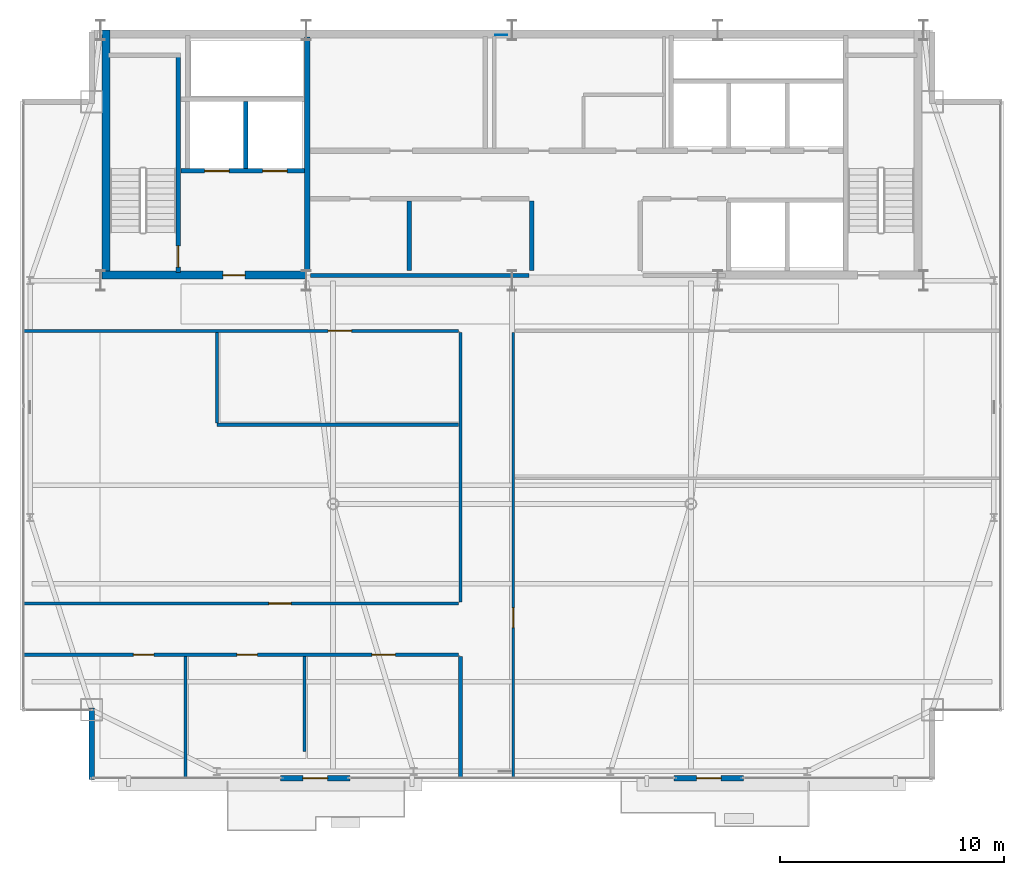
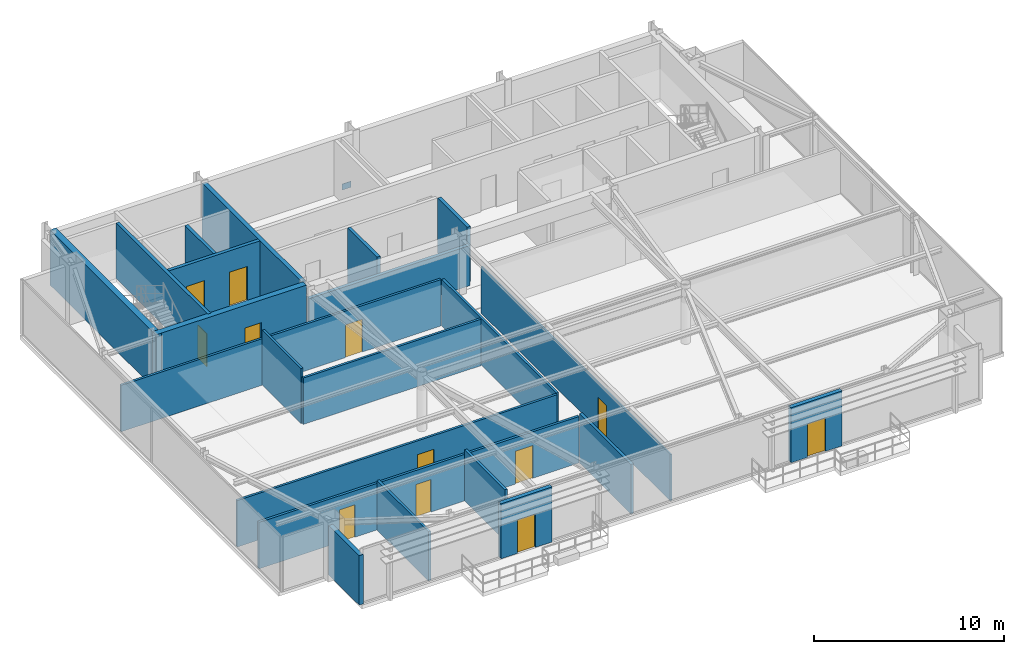
# One storey, part 20 of 24: 22 walls, 12 doors, 1 plate, 12 openings.
"""IFC4 building model written with IfcOpenShell, lengths in metres."""

from ifc_helpers import new_model, si_unit, direction, frame, frame_2d, origin, origin_2d, place, context, subcontext, project, spatial, rectangle, extrude, source, transform, mapped, material, layer, layer_set, type_object, type_shapes, element, fill, save


model = new_model("IFC4")

# Units and contexts
model_context = context("Model", 3, precision=1e-05, world=origin(), true_north=direction((0.0, 1.0)))
body_context = subcontext(model_context, "Body", "Model", "MODEL_VIEW")
ifc_project = project(units=[si_unit("LENGTHUNIT", "METRE"), si_unit("AREAUNIT", "SQUARE_METRE"), si_unit("VOLUMEUNIT", "CUBIC_METRE"), si_unit("PLANEANGLEUNIT", "RADIAN"), si_unit("MASSUNIT", "GRAM", prefix="KILO")], contexts=[model_context])

# Site, building, storey
site_placement = place(None, origin())
site = spatial("IfcSite", under=ifc_project, at=site_placement, CompositionType="ELEMENT")
building_placement = place(site_placement, origin())
building = spatial("IfcBuilding", under=site, at=building_placement, Name="Varnel Quay Broadcast Tower", CompositionType="ELEMENT")
storey_placement = place(building_placement, frame((0.0, 0.0, 281.199951171875)))
storey = spatial("IfcBuildingStorey", under=building, at=storey_placement, Name="L70", CompositionType="ELEMENT", Elevation=281.199951171875)

# Plate
ifc_material_1 = material(Name="Structural Steel CSA G40.21 350WT", Category="steel")
ifc_layer_1 = layer(ifc_material_1, 0.031982421875, Name="Structural Steel CSA G40.21 350WT")
ifc_layer_set_1 = layer_set([ifc_layer_1], Name="Structural Steel CSA G40.21 350WT")
plate_type = type_object("IfcPlateType", Name="Plate_EndCap", PredefinedType="USERDEFINED", material=ifc_layer_set_1)
shared_shape_1 = source(origin(), body_context, "Body", "SweptSolid", [
    extrude(rectangle(XDim=0.5400390625, YDim=0.031982421875, at=origin_2d()), origin(), (0.0, 0.0, 1.0), 0.3798828125),
])
type_shapes(plate_type, [shared_shape_1])
plate_placement = place(storey_placement, frame((33.524169921875, 46.580078125, 0.07080078125), z_axis=(0.0, 0.0, 1.0), x_axis=(1.0, 0.0, 0.0)))
element("IfcPlate", 1, at=plate_placement, inside=storey, type_object=plate_type, Name="Zone 5 Mega-Brace N-CT2 Diag B2 End Connection Plate P0", ObjectType="CAP_PLATE", PredefinedType="USERDEFINED", context=body_context, shape_type="MappedRepresentation", body=[
    mapped(shared_shape_1, transform((0.0, 0.0, 0.0), x_axis=(1.0, 0.0, 0.0), y_axis=(0.0, 1.0, 0.0), z_axis=(0.0, 0.0, 1.0), scale=1.0)),
])

# Wall, opening, door
ifc_material_2 = material(Name="Concrete CSA A23.3 C50/60", Category="concrete")
ifc_layer_2 = layer(ifc_material_2, 0.199951171875, Name="Concrete CSA A23.3 C50/60")
ifc_layer_set_2 = layer_set([ifc_layer_2], Name="Concrete CSA A23.3 C50/60")
wall_type_1 = type_object("IfcWallType", Name="Wall_CoreShaftShear200", PredefinedType="SHEAR", material=ifc_layer_set_2)
wall_1_placement = place(storey_placement, frame((19.080078125, 35.949951171875, 0.0), z_axis=(0.0, 0.0, 1.0), x_axis=(0.0, 1.0, 0.0)))
wall_1 = element("IfcWall", 2, at=wall_1_placement, inside=storey, type_object=wall_type_1, Name="L70 Stair 1 East Structural Wall", PredefinedType="SHEAR", context=body_context, shape_type="SweptSolid", body=[
    extrude(rectangle(XDim=9.650146484375, YDim=0.199951171875, at=frame_2d((4.8251953125, 0.0))), origin(), (0.0, 0.0, 1.0), 3.550048828125),
])
opening_1_placement = place(wall_1_placement, frame((0.25, 0.0, 0.0)))
opening_1 = element("IfcOpeningElement", 3, at=opening_1_placement, cuts=wall_1, Name="Opening D-L70-S1", PredefinedType="OPENING", context=body_context, shape_type="SweptSolid", body=[
    extrude(rectangle(XDim=0.949951171875, YDim=2.10009765625, at=frame_2d((0.47509765625, 1.050048828125))), frame((0.0, 0.10986328125, 0.0), z_axis=(0.0, -1.0, 0.0), x_axis=(1.0, 0.0, 0.0)), (0.0, 0.0, 1.0), 0.219970703125),
])
ifc_material_3 = material(Name="Insulated Fire-Rated Hollow Steel Door", Category="steel")
door_type_1 = type_object("IfcDoorType", Name="Door_FireStair950", OperationType="NOTDEFINED", PredefinedType="DOOR", material=ifc_material_3)
shared_shape_2 = source(origin(), body_context, "Body", "SweptSolid", [
    extrude(rectangle(XDim=0.949951171875, YDim=2.10009765625, at=frame_2d((0.47509765625, 1.050048828125))), frame((0.0, 0.02490234375, 0.0), z_axis=(0.0, -1.0, 0.0), x_axis=(1.0, 0.0, 0.0)), (0.0, 0.0, 1.0), 0.050048828125),
])
type_shapes(door_type_1, [shared_shape_2])
door_1_placement = place(opening_1_placement, origin())
door_1 = element("IfcDoor", 4, at=door_1_placement, inside=storey, type_object=door_type_1, Name="L70 Stair 1 Fire Door", OperationType="SINGLE_SWING_RIGHT", OverallHeight=2.10009765625, OverallWidth=0.949951171875, PredefinedType="DOOR", context=body_context, shape_type="MappedRepresentation", body=[
    mapped(shared_shape_2, transform((0.0, 0.0, 0.0), x_axis=(1.0, 0.0, 0.0), y_axis=(0.0, 1.0, 0.0), z_axis=(0.0, 0.0, 1.0), scale=1.0)),
])
fill(opening_1, door_1)

# Wall, openings, doors
wall_2_placement = place(storey_placement, frame((19.199951171875, 40.5, 0.0), z_axis=(0.0, 0.0, 1.0), x_axis=(1.0, 0.0, 0.0)))
wall_2 = element("IfcWall", 5, at=wall_2_placement, inside=storey, type_object=wall_type_1, Name="L70 Firefighter Lift Shaft Front Wall", PredefinedType="SHEAR", context=body_context, shape_type="SweptSolid", body=[
    extrude(rectangle(XDim=5.52001953125, YDim=0.199951171875, at=frame_2d((2.760009765625, 0.0))), origin(), (0.0, 0.0, 1.0), 3.550048828125),
])
opening_2_placement = place(wall_2_placement, frame((1.050048828125, 0.0, 0.0)))
opening_2 = element("IfcOpeningElement", 6, at=opening_2_placement, cuts=wall_2, Name="Opening LD-L70-FE1", PredefinedType="OPENING", context=body_context, shape_type="SweptSolid", body=[
    extrude(rectangle(XDim=1.10009765625, YDim=2.179931640625, at=frame_2d((0.550048828125, 1.08984375))), frame((0.0, 0.10986328125, 0.0), z_axis=(0.0, -1.0, 0.0), x_axis=(1.0, 0.0, 0.0)), (0.0, 0.0, 1.0), 0.219970703125),
])
opening_3_placement = place(wall_2_placement, frame((3.64990234375, 0.0, 0.0)))
opening_3 = element("IfcOpeningElement", 7, at=opening_3_placement, cuts=wall_2, Name="Opening LD-L70-FE2", PredefinedType="OPENING", context=body_context, shape_type="SweptSolid", body=[
    extrude(rectangle(XDim=1.10009765625, YDim=2.179931640625, at=frame_2d((0.550048828125, 1.08984375))), frame((0.0, 0.10986328125, 0.0), z_axis=(0.0, -1.0, 0.0), x_axis=(1.0, 0.0, 0.0)), (0.0, 0.0, 1.0), 0.219970703125),
])
ifc_material_4 = material(Name="Brushed Bronze-Stainless Lift Car & Sliding Doors", Category="steel")
door_type_2 = type_object("IfcDoorType", Name="Door_LiftLanding1100", OperationType="SLIDING_TO_LEFT", PredefinedType="DOOR", material=ifc_material_4)
shared_shape_3 = source(origin(), body_context, "Body", "SweptSolid", [
    extrude(rectangle(XDim=1.10009765625, YDim=2.179931640625, at=frame_2d((0.550048828125, 1.08984375))), frame((0.0, 0.02490234375, 0.0), z_axis=(0.0, -1.0, 0.0), x_axis=(1.0, 0.0, 0.0)), (0.0, 0.0, 1.0), 0.050048828125),
])
type_shapes(door_type_2, [shared_shape_3])
door_2_placement = place(opening_2_placement, frame((1.10009765625, 0.0, 0.0), z_axis=(0.0, 0.0, 1.0), x_axis=(-1.0, 0.0, 0.0)))
door_2 = element("IfcDoor", 8, at=door_2_placement, inside=storey, type_object=door_type_2, Name="L70 Firefighter Lift FE-01 Landing Door", OperationType="SLIDING_TO_LEFT", OverallHeight=2.179931640625, OverallWidth=1.10009765625, PredefinedType="DOOR", context=body_context, shape_type="MappedRepresentation", body=[
    mapped(shared_shape_3, transform((0.0, 0.0, 0.0), x_axis=(1.0, 0.0, 0.0), y_axis=(0.0, 1.0, 0.0), z_axis=(0.0, 0.0, 1.0), scale=1.0)),
])
fill(opening_2, door_2)
door_3_placement = place(opening_3_placement, frame((1.10009765625, 0.0, 0.0), z_axis=(0.0, 0.0, 1.0), x_axis=(-1.0, 0.0, 0.0)))
door_3 = element("IfcDoor", 9, at=door_3_placement, inside=storey, type_object=door_type_2, Name="L70 Firefighter Lift FE-02 Landing Door", OperationType="SLIDING_TO_RIGHT", OverallHeight=2.179931640625, OverallWidth=1.10009765625, PredefinedType="DOOR", context=body_context, shape_type="MappedRepresentation", body=[
    mapped(shared_shape_3, transform((0.0, 0.0, 0.0), x_axis=(1.0, 0.0, 0.0), y_axis=(0.0, 1.0, 0.0), z_axis=(0.0, 0.0, 1.0), scale=1.0)),
])
fill(opening_3, door_3)

# Walls
wall_3_placement = place(storey_placement, frame((22.10009765625, 40.60009765625, 0.0), z_axis=(0.0, 0.0, 1.0), x_axis=(0.0, 1.0, 0.0)))
element("IfcWall", 10, at=wall_3_placement, inside=storey, type_object=wall_type_1, Name="L70 Firefighter Lift Shaft Divider", PredefinedType="SHEAR", context=body_context, shape_type="SweptSolid", body=[
    extrude(rectangle(XDim=3.0, YDim=0.199951171875, at=frame_2d((1.5, 0.0))), origin(), (0.0, 0.0, 1.0), 3.550048828125),
])
ifc_layer_3 = layer(ifc_material_2, 0.25, Name="Concrete CSA A23.3 C50/60")
ifc_layer_set_3 = layer_set([ifc_layer_3], Name="Concrete CSA A23.3 C50/60")
wall_type_2 = type_object("IfcWallType", Name="Wall_CoreShaftShear250", PredefinedType="SHEAR", material=ifc_layer_set_3)
wall_4_placement = place(storey_placement, frame((24.85009765625, 36.050048828125, 0.0), z_axis=(0.0, 0.0, 1.0), x_axis=(0.0, 1.0, 0.0)))
element("IfcWall", 11, at=wall_4_placement, inside=storey, type_object=wall_type_2, Name="L70 Firefighting Lobby East Structural Wall", PredefinedType="SHEAR", context=body_context, shape_type="SweptSolid", body=[
    extrude(rectangle(XDim=10.449951171875, YDim=0.25, at=frame_2d((5.22509765625, 0.0))), origin(), (0.0, 0.0, 1.0), 3.550048828125),
])
ifc_layer_4 = layer(ifc_material_2, 0.35009765625, Name="Concrete CSA A23.3 C50/60")
ifc_layer_set_4 = layer_set([ifc_layer_4], Name="Concrete CSA A23.3 C50/60")
wall_type_3 = type_object("IfcWallType", Name="Wall_CoreShearInt350", PredefinedType="SHEAR", material=ifc_layer_set_4)
wall_5_placement = place(storey_placement, frame((15.844970703125, 35.669921875, 0.0), z_axis=(0.0, 0.0, 1.0), x_axis=(0.0, 1.0, 0.0)))
element("IfcWall", 12, at=wall_5_placement, inside=storey, type_object=wall_type_3, Name="L70 West Core Shear Wall", PredefinedType="SHEAR", context=body_context, shape_type="SweptSolid", body=[
    extrude(rectangle(XDim=11.130126953125, YDim=0.35009765625, at=frame_2d((5.56494140625, 0.0))), origin(), (0.0, 0.0, 1.0), 3.550048828125),
])

# Wall, opening, door
wall_6_placement = place(storey_placement, frame((15.669921875, 35.844970703125, 0.0), z_axis=(0.0, 0.0, 1.0), x_axis=(1.0, 0.0, 0.0)))
wall_6 = element("IfcWall", 13, at=wall_6_placement, inside=storey, type_object=wall_type_3, Name="L70 South-West Core Shear Wall", PredefinedType="SHEAR", context=body_context, shape_type="SweptSolid", body=[
    extrude(rectangle(XDim=9.130126953125, YDim=0.35009765625, at=frame_2d((4.56494140625, 0.0))), origin(), (0.0, 0.0, 1.0), 3.550048828125),
])
opening_4_placement = place(wall_6_placement, frame((5.39990234375, 0.0, 0.0)))
opening_4 = element("IfcOpeningElement", 14, at=opening_4_placement, cuts=wall_6, Name="Opening D-L70-FFL", PredefinedType="OPENING", context=body_context, shape_type="SweptSolid", body=[
    extrude(rectangle(XDim=1.0, YDim=2.10009765625, at=frame_2d((0.5, 1.050048828125))), frame((0.0, 0.18505859375, 0.0), z_axis=(0.0, -1.0, 0.0), x_axis=(1.0, 0.0, 0.0)), (0.0, 0.0, 1.0), 0.3701171875),
])
door_type_3 = type_object("IfcDoorType", Name="Door_FireLobby1000", OperationType="NOTDEFINED", PredefinedType="DOOR", material=ifc_material_3)
shared_shape_4 = source(origin(), body_context, "Body", "SweptSolid", [
    extrude(rectangle(XDim=1.0, YDim=2.10009765625, at=frame_2d((0.5, 1.050048828125))), frame((0.0, 0.02490234375, 0.0), z_axis=(0.0, -1.0, 0.0), x_axis=(1.0, 0.0, 0.0)), (0.0, 0.0, 1.0), 0.050048828125),
])
type_shapes(door_type_3, [shared_shape_4])
door_4_placement = place(opening_4_placement, origin())
door_4 = element("IfcDoor", 15, at=door_4_placement, inside=storey, type_object=door_type_3, Name="L70 Firefighting Lobby Door", OperationType="SINGLE_SWING_LEFT", OverallHeight=2.10009765625, OverallWidth=1.0, PredefinedType="DOOR", context=body_context, shape_type="MappedRepresentation", body=[
    mapped(shared_shape_4, transform((0.0, 0.0, 0.0), x_axis=(1.0, 0.0, 0.0), y_axis=(0.0, 1.0, 0.0), z_axis=(0.0, 0.0, 1.0), scale=1.0)),
])
fill(opening_4, door_4)

ifc_material_5 = material(Name="Precast Architectural Concrete C40/50", Category="concrete")
ifc_layer_5 = layer(ifc_material_5, 0.25, Name="Precast Architectural Concrete C40/50")
ifc_layer_set_5 = layer_set([ifc_layer_5], Name="Precast Architectural Concrete C40/50")
wall_type_4 = type_object("IfcWallType", Name="Wall_ExtTerrace250", PredefinedType="SOLIDWALL", material=ifc_layer_set_5)
wall_7_placement = place(storey_placement, frame((23.64990234375, 13.35009765625, 0.0), z_axis=(0.0, 0.0, 1.0), x_axis=(1.0, 0.0, 0.0)))
wall_7 = element("IfcWall", 16, at=wall_7_placement, inside=storey, type_object=wall_type_4, Name="L70 Terrace Access Wall 1", PredefinedType="SOLIDWALL", context=body_context, shape_type="SweptSolid", body=[
    extrude(rectangle(XDim=3.10009765625, YDim=0.25, at=frame_2d((1.550048828125, 0.0))), origin(), (0.0, 0.0, 1.0), 3.530029296875),
])
opening_5_placement = place(wall_7_placement, frame((1.0, 0.0, 0.0)))
opening_5 = element("IfcOpeningElement", 17, at=opening_5_placement, cuts=wall_7, Name="Opening TD-701", PredefinedType="OPENING", context=body_context, shape_type="SweptSolid", body=[
    extrude(rectangle(XDim=1.10009765625, YDim=2.14990234375, at=frame_2d((0.550048828125, 1.074951171875))), frame((0.0, 0.135009765625, 0.0), z_axis=(0.0, -1.0, 0.0), x_axis=(1.0, 0.0, 0.0)), (0.0, 0.0, 1.0), 0.27001953125),
])
ifc_material_6 = material(Name="Anodised Bronze Aluminium 6063-T6", Category="aluminium")
door_type_4 = type_object("IfcDoorType", Name="Door_ExtTerrace1100", OperationType="NOTDEFINED", PredefinedType="DOOR", material=ifc_material_6)
shared_shape_5 = source(origin(), body_context, "Body", "SweptSolid", [
    extrude(rectangle(XDim=1.10009765625, YDim=2.14990234375, at=frame_2d((0.550048828125, 1.074951171875))), frame((0.0, 0.02490234375, 0.0), z_axis=(0.0, -1.0, 0.0), x_axis=(1.0, 0.0, 0.0)), (0.0, 0.0, 1.0), 0.050048828125),
])
type_shapes(door_type_4, [shared_shape_5])
door_5_placement = place(opening_5_placement, frame((1.10009765625, 0.0, 0.0), z_axis=(0.0, 0.0, 1.0), x_axis=(-1.0, 0.0, 0.0)))
door_5 = element("IfcDoor", 18, at=door_5_placement, inside=storey, type_object=door_type_4, Name="L70 Terrace Door TD-701", OperationType="SINGLE_SWING_LEFT", OverallHeight=2.14990234375, OverallWidth=1.10009765625, PredefinedType="DOOR", context=body_context, shape_type="MappedRepresentation", body=[
    mapped(shared_shape_5, transform((0.0, 0.0, 0.0), x_axis=(1.0, 0.0, 0.0), y_axis=(0.0, 1.0, 0.0), z_axis=(0.0, 0.0, 1.0), scale=1.0)),
])
fill(opening_5, door_5)

wall_8_placement = place(storey_placement, frame((41.25, 13.35009765625, 0.0), z_axis=(0.0, 0.0, 1.0), x_axis=(1.0, 0.0, 0.0)))
wall_8 = element("IfcWall", 19, at=wall_8_placement, inside=storey, type_object=wall_type_4, Name="L70 Terrace Access Wall 2", PredefinedType="SOLIDWALL", context=body_context, shape_type="SweptSolid", body=[
    extrude(rectangle(XDim=3.10009765625, YDim=0.25, at=frame_2d((1.550048828125, 0.0))), origin(), (0.0, 0.0, 1.0), 3.530029296875),
])
opening_6_placement = place(wall_8_placement, frame((1.0, 0.0, 0.0)))
opening_6 = element("IfcOpeningElement", 20, at=opening_6_placement, cuts=wall_8, Name="Opening TD-702", PredefinedType="OPENING", context=body_context, shape_type="SweptSolid", body=[
    extrude(rectangle(XDim=1.10009765625, YDim=2.14990234375, at=frame_2d((0.550048828125, 1.074951171875))), frame((0.0, 0.135009765625, 0.0), z_axis=(0.0, -1.0, 0.0), x_axis=(1.0, 0.0, 0.0)), (0.0, 0.0, 1.0), 0.27001953125),
])
door_6_placement = place(opening_6_placement, frame((1.10009765625, 0.0, 0.0), z_axis=(0.0, 0.0, 1.0), x_axis=(-1.0, 0.0, 0.0)))
door_6 = element("IfcDoor", 21, at=door_6_placement, inside=storey, type_object=door_type_4, Name="L70 Terrace Door TD-702", OperationType="SINGLE_SWING_RIGHT", OverallHeight=2.14990234375, OverallWidth=1.10009765625, PredefinedType="DOOR", context=body_context, shape_type="MappedRepresentation", body=[
    mapped(shared_shape_5, transform((0.0, 0.0, 0.0), x_axis=(1.0, 0.0, 0.0), y_axis=(0.0, 1.0, 0.0), z_axis=(0.0, 0.0, 1.0), scale=1.0)),
])
fill(opening_6, door_6)

# Wall
wall_9_placement = place(storey_placement, frame((15.199951171875, 13.280029296875, 0.0), z_axis=(0.0, 0.0, 1.0), x_axis=(0.0, 1.0, 0.0)))
element("IfcWall", 22, at=wall_9_placement, inside=storey, type_object=wall_type_4, Name="L70 Mega-Column Notch Cladding Wall NSW2", PredefinedType="SOLIDWALL", context=body_context, shape_type="SweptSolid", body=[
    extrude(rectangle(XDim=3.199951171875, YDim=0.25, at=frame_2d((1.60009765625, 0.0))), origin(), (0.0, 0.0, 1.0), 3.171142578125),
])

# Wall, opening, door
ifc_material_7 = material(Name="Steel-Stud Fire-Rated Acoustic Gypsum Partition Assembly", Category="steel")
ifc_layer_6 = layer(ifc_material_7, 0.10498046875, Name="Steel-Stud Fire-Rated Acoustic Gypsum Partition Assembly")
ifc_layer_set_6 = layer_set([ifc_layer_6], Name="Steel-Stud Fire-Rated Acoustic Gypsum Partition Assembly")
wall_type_5 = type_object("IfcWallType", Name="Wall_Partition105", PredefinedType="PARTITIONING", material=ifc_layer_set_6)
wall_10_placement = place(storey_placement, frame((34.050048828125, 13.3798828125, 0.0), z_axis=(0.0, 0.0, 1.0), x_axis=(0.0, 1.0, 0.0)))
wall_10 = element("IfcWall", 23, at=wall_10_placement, inside=storey, type_object=wall_type_5, Name="L70 Camera Locker Store 6 Partition 18", PredefinedType="PARTITIONING", context=body_context, shape_type="SweptSolid", body=[
    extrude(rectangle(XDim=19.89501953125, YDim=0.10498046875, at=frame_2d((9.947509765625, 0.0))), origin(), (0.0, 0.0, 1.0), 2.98095703125),
])
opening_7_placement = place(wall_10_placement, frame((6.705078125, 0.0, 0.0)))
opening_7 = element("IfcOpeningElement", 24, at=opening_7_placement, cuts=wall_10, Name="Opening D-L70-09", PredefinedType="OPENING", context=body_context, shape_type="SweptSolid", body=[
    extrude(rectangle(XDim=0.8798828125, YDim=2.06005859375, at=frame_2d((0.43994140625, 1.030029296875))), frame((0.0, 0.0625, 0.0), z_axis=(0.0, -1.0, 0.0), x_axis=(1.0, 0.0, 0.0)), (0.0, 0.0, 1.0), 0.125),
])
ifc_material_8 = material(Name="Solid-Core Fire-Rated Acoustic Oak Veneer Door", Category="wood")
door_type_5 = type_object("IfcDoorType", Name="Door_Booth880", OperationType="NOTDEFINED", PredefinedType="DOOR", material=ifc_material_8)
shared_shape_6 = source(origin(), body_context, "Body", "SweptSolid", [
    extrude(rectangle(XDim=0.8798828125, YDim=2.06005859375, at=frame_2d((0.43994140625, 1.030029296875))), frame((0.0, 0.02490234375, 0.0), z_axis=(0.0, -1.0, 0.0), x_axis=(1.0, 0.0, 0.0)), (0.0, 0.0, 1.0), 0.050048828125),
])
type_shapes(door_type_5, [shared_shape_6])
door_7_placement = place(opening_7_placement, frame((0.8798828125, 0.0, 0.0), z_axis=(0.0, 0.0, 1.0), x_axis=(-1.0, 0.0, 0.0)))
door_7 = element("IfcDoor", 25, at=door_7_placement, inside=storey, type_object=door_type_5, Name="L70 Camera Locker Store 6 Door D-L70-09", OperationType="SINGLE_SWING_RIGHT", OverallHeight=2.06005859375, OverallWidth=0.8798828125, PredefinedType="DOOR", context=body_context, shape_type="MappedRepresentation", body=[
    mapped(shared_shape_6, transform((0.0, 0.0, 0.0), x_axis=(1.0, 0.0, 0.0), y_axis=(0.0, 1.0, 0.0), z_axis=(0.0, 0.0, 1.0), scale=1.0)),
])
fill(opening_7, door_7)

ifc_layer_7 = layer(ifc_material_7, 0.139892578125, Name="Steel-Stud Fire-Rated Acoustic Gypsum Partition Assembly")
ifc_layer_set_7 = layer_set([ifc_layer_7], Name="Steel-Stud Fire-Rated Acoustic Gypsum Partition Assembly")
wall_type_6 = type_object("IfcWallType", Name="Wall_Partition140", PredefinedType="PARTITIONING", material=ifc_layer_set_7)
wall_11_placement = place(storey_placement, frame((12.179931640625, 21.159912109375, 0.0), z_axis=(0.0, 0.0, 1.0), x_axis=(1.0, 0.0, 0.0)))
wall_11 = element("IfcWall", 26, at=wall_11_placement, inside=storey, type_object=wall_type_6, Name="L70 Press Green Lounge 4 Partition 12", PredefinedType="PARTITIONING", context=body_context, shape_type="SweptSolid", body=[
    extrude(rectangle(XDim=19.420166015625, YDim=0.139892578125, at=frame_2d((9.7099609375, 0.0))), origin(), (0.0, 0.0, 1.0), 2.98095703125),
])
opening_8_placement = place(wall_11_placement, frame((10.945068359375, 0.0, 0.0)))
opening_8 = element("IfcOpeningElement", 27, at=opening_8_placement, cuts=wall_11, Name="Opening D-L70-07", PredefinedType="OPENING", context=body_context, shape_type="SweptSolid", body=[
    extrude(rectangle(XDim=1.0, YDim=2.10009765625, at=frame_2d((0.5, 1.050048828125))), frame((0.0, 0.080078125, 0.0), z_axis=(0.0, -1.0, 0.0), x_axis=(1.0, 0.0, 0.0)), (0.0, 0.0, 1.0), 0.159912109375),
])
door_type_6 = type_object("IfcDoorType", Name="Door_Exec1000", OperationType="NOTDEFINED", PredefinedType="DOOR", material=ifc_material_8)
shared_shape_7 = source(origin(), body_context, "Body", "SweptSolid", [
    extrude(rectangle(XDim=1.0, YDim=2.10009765625, at=frame_2d((0.5, 1.050048828125))), frame((0.0, 0.02490234375, 0.0), z_axis=(0.0, -1.0, 0.0), x_axis=(1.0, 0.0, 0.0)), (0.0, 0.0, 1.0), 0.050048828125),
])
type_shapes(door_type_6, [shared_shape_7])
door_8_placement = place(opening_8_placement, origin())
door_8 = element("IfcDoor", 28, at=door_8_placement, inside=storey, type_object=door_type_6, Name="L70 Press Green Lounge 4 Door D-L70-07", OperationType="SINGLE_SWING_RIGHT", OverallHeight=2.10009765625, OverallWidth=1.0, PredefinedType="DOOR", context=body_context, shape_type="MappedRepresentation", body=[
    mapped(shared_shape_7, transform((0.0, 0.0, 0.0), x_axis=(1.0, 0.0, 0.0), y_axis=(0.0, 1.0, 0.0), z_axis=(0.0, 0.0, 1.0), scale=1.0)),
])
fill(opening_8, door_8)

# Walls
wall_12_placement = place(storey_placement, frame((31.699951171875, 21.22998046875, 0.0), z_axis=(0.0, 0.0, 1.0), x_axis=(0.0, 1.0, 0.0)))
element("IfcWall", 29, at=wall_12_placement, inside=storey, type_object=wall_type_6, Name="L70 Press Green Lounge 4 Partition 13", PredefinedType="PARTITIONING", context=body_context, shape_type="SweptSolid", body=[
    extrude(rectangle(XDim=12.050048828125, YDim=0.139892578125, at=frame_2d((6.02490234375, 0.0))), origin(), (0.0, 0.0, 1.0), 2.98095703125),
])
wall_13_placement = place(storey_placement, frame((20.81005859375, 29.14990234375, 0.0), z_axis=(0.0, 0.0, 1.0), x_axis=(1.0, 0.0, 0.0)))
element("IfcWall", 30, at=wall_13_placement, inside=storey, type_object=wall_type_6, Name="L70 Press Green Lounge 4 Partition 14", PredefinedType="PARTITIONING", context=body_context, shape_type="SweptSolid", body=[
    extrude(rectangle(XDim=10.7900390625, YDim=0.139892578125, at=frame_2d((5.39501953125, 0.0))), origin(), (0.0, 0.0, 1.0), 2.98095703125),
])
wall_14_placement = place(storey_placement, frame((20.81005859375, 29.219970703125, 0.0), z_axis=(0.0, 0.0, 1.0), x_axis=(0.0, 1.0, 0.0)))
element("IfcWall", 31, at=wall_14_placement, inside=storey, type_object=wall_type_6, Name="L70 Press Green Lounge 4 Partition 15", PredefinedType="PARTITIONING", context=body_context, shape_type="SweptSolid", body=[
    extrude(rectangle(XDim=4.06005859375, YDim=0.139892578125, at=frame_2d((2.030029296875, 0.0))), origin(), (0.0, 0.0, 1.0), 3.530029296875),
])

# Wall, opening, door
wall_15_placement = place(storey_placement, frame((12.179931640625, 33.35009765625, 0.0), z_axis=(0.0, 0.0, 1.0), x_axis=(1.0, 0.0, 0.0)))
wall_15 = element("IfcWall", 32, at=wall_15_placement, inside=storey, type_object=wall_type_6, Name="L70 Press Green Lounge 4 Partition 16", PredefinedType="PARTITIONING", context=body_context, shape_type="SweptSolid", body=[
    extrude(rectangle(XDim=19.420166015625, YDim=0.139892578125, at=frame_2d((9.7099609375, 0.0))), origin(), (0.0, 0.0, 1.0), 2.98095703125),
])
opening_9_placement = place(wall_15_placement, frame((13.60009765625, 0.0, 0.0)))
opening_9 = element("IfcOpeningElement", 33, at=opening_9_placement, cuts=wall_15, Name="Opening D-L70-08", PredefinedType="OPENING", context=body_context, shape_type="SweptSolid", body=[
    extrude(rectangle(XDim=1.050048828125, YDim=2.10009765625, at=frame_2d((0.52490234375, 1.050048828125))), frame((0.0, 0.080078125, 0.0), z_axis=(0.0, -1.0, 0.0), x_axis=(1.0, 0.0, 0.0)), (0.0, 0.0, 1.0), 0.159912109375),
])
door_type_7 = type_object("IfcDoorType", Name="Door_Meeting1050", OperationType="NOTDEFINED", PredefinedType="DOOR", material=ifc_material_8)
shared_shape_8 = source(origin(), body_context, "Body", "SweptSolid", [
    extrude(rectangle(XDim=1.050048828125, YDim=2.10009765625, at=frame_2d((0.52490234375, 1.050048828125))), frame((0.0, 0.02490234375, 0.0), z_axis=(0.0, -1.0, 0.0), x_axis=(1.0, 0.0, 0.0)), (0.0, 0.0, 1.0), 0.050048828125),
])
type_shapes(door_type_7, [shared_shape_8])
door_9_placement = place(opening_9_placement, frame((1.050048828125, 0.0, 0.0), z_axis=(0.0, 0.0, 1.0), x_axis=(-1.0, 0.0, 0.0)))
door_9 = element("IfcDoor", 34, at=door_9_placement, inside=storey, type_object=door_type_7, Name="L70 Editorial Boardroom 5 Door D-L70-08", OperationType="SINGLE_SWING_LEFT", OverallHeight=2.10009765625, OverallWidth=1.050048828125, PredefinedType="DOOR", context=body_context, shape_type="MappedRepresentation", body=[
    mapped(shared_shape_8, transform((0.0, 0.0, 0.0), x_axis=(1.0, 0.0, 0.0), y_axis=(0.0, 1.0, 0.0), z_axis=(0.0, 0.0, 1.0), scale=1.0)),
])
fill(opening_9, door_9)

# Wall
ifc_layer_8 = layer(ifc_material_7, 0.14990234375, Name="Steel-Stud Fire-Rated Acoustic Gypsum Partition Assembly")
ifc_layer_set_8 = layer_set([ifc_layer_8], Name="Steel-Stud Fire-Rated Acoustic Gypsum Partition Assembly")
wall_type_7 = type_object("IfcWallType", Name="Wall_Partition150", PredefinedType="PARTITIONING", material=ifc_layer_set_8)
wall_16_placement = place(storey_placement, frame((19.39990234375, 13.3798828125, 0.0), z_axis=(0.0, 0.0, 1.0), x_axis=(0.0, 1.0, 0.0)))
element("IfcWall", 35, at=wall_16_placement, inside=storey, type_object=wall_type_7, Name="L70 Broadcast Newsroom 1 Partition 8", PredefinedType="PARTITIONING", context=body_context, shape_type="SweptSolid", body=[
    extrude(rectangle(XDim=5.405029296875, YDim=0.14990234375, at=frame_2d((2.70263671875, 0.0))), origin(), (0.0, 0.0, 1.0), 3.171142578125),
])

# Wall, openings, doors
wall_17_placement = place(storey_placement, frame((12.179931640625, 18.860107421875, 0.0), z_axis=(0.0, 0.0, 1.0), x_axis=(1.0, 0.0, 0.0)))
wall_17 = element("IfcWall", 36, at=wall_17_placement, inside=storey, type_object=wall_type_7, Name="L70 Broadcast Newsroom 1 Partition 9", PredefinedType="PARTITIONING", context=body_context, shape_type="SweptSolid", body=[
    extrude(rectangle(XDim=19.420166015625, YDim=0.14990234375, at=frame_2d((9.7099609375, 0.0))), origin(), (0.0, 0.0, 1.0), 2.98095703125),
])
opening_10_placement = place(wall_17_placement, frame((4.885009765625, 0.0, 0.0)))
opening_10 = element("IfcOpeningElement", 37, at=opening_10_placement, cuts=wall_17, Name="Opening D-L70-04", PredefinedType="OPENING", context=body_context, shape_type="SweptSolid", body=[
    extrude(rectangle(XDim=0.919921875, YDim=2.080078125, at=frame_2d((0.4599609375, 1.0400390625))), frame((0.0, 0.0849609375, 0.0), z_axis=(0.0, -1.0, 0.0), x_axis=(1.0, 0.0, 0.0)), (0.0, 0.0, 1.0), 0.169921875),
])
opening_11_placement = place(wall_17_placement, frame((9.52001953125, 0.0, 0.0)))
opening_11 = element("IfcOpeningElement", 38, at=opening_11_placement, cuts=wall_17, Name="Opening D-L70-05", PredefinedType="OPENING", context=body_context, shape_type="SweptSolid", body=[
    extrude(rectangle(XDim=0.919921875, YDim=2.080078125, at=frame_2d((0.4599609375, 1.0400390625))), frame((0.0, 0.0849609375, 0.0), z_axis=(0.0, -1.0, 0.0), x_axis=(1.0, 0.0, 0.0)), (0.0, 0.0, 1.0), 0.169921875),
])
opening_12_placement = place(wall_17_placement, frame((15.554931640625, 0.0, 0.0)))
opening_12 = element("IfcOpeningElement", 39, at=opening_12_placement, cuts=wall_17, Name="Opening D-L70-06", PredefinedType="OPENING", context=body_context, shape_type="SweptSolid", body=[
    extrude(rectangle(XDim=1.050048828125, YDim=2.10009765625, at=frame_2d((0.52490234375, 1.050048828125))), frame((0.0, 0.0849609375, 0.0), z_axis=(0.0, -1.0, 0.0), x_axis=(1.0, 0.0, 0.0)), (0.0, 0.0, 1.0), 0.169921875),
])
door_type_8 = type_object("IfcDoorType", Name="Door_Office920", OperationType="NOTDEFINED", PredefinedType="DOOR", material=ifc_material_8)
shared_shape_9 = source(origin(), body_context, "Body", "SweptSolid", [
    extrude(rectangle(XDim=0.919921875, YDim=2.080078125, at=frame_2d((0.4599609375, 1.0400390625))), frame((0.0, 0.02490234375, 0.0), z_axis=(0.0, -1.0, 0.0), x_axis=(1.0, 0.0, 0.0)), (0.0, 0.0, 1.0), 0.050048828125),
])
type_shapes(door_type_8, [shared_shape_9])
door_10_placement = place(opening_10_placement, frame((0.919921875, 0.0, 0.0), z_axis=(0.0, 0.0, 1.0), x_axis=(-1.0, 0.0, 0.0)))
door_10 = element("IfcDoor", 40, at=door_10_placement, inside=storey, type_object=door_type_8, Name="L70 Broadcast Newsroom 1 Door D-L70-04", OperationType="SINGLE_SWING_LEFT", OverallHeight=2.080078125, OverallWidth=0.919921875, PredefinedType="DOOR", context=body_context, shape_type="MappedRepresentation", body=[
    mapped(shared_shape_9, transform((0.0, 0.0, 0.0), x_axis=(1.0, 0.0, 0.0), y_axis=(0.0, 1.0, 0.0), z_axis=(0.0, 0.0, 1.0), scale=1.0)),
])
fill(opening_10, door_10)
door_11_placement = place(opening_11_placement, frame((0.919921875, 0.0, 0.0), z_axis=(0.0, 0.0, 1.0), x_axis=(-1.0, 0.0, 0.0)))
door_11 = element("IfcDoor", 41, at=door_11_placement, inside=storey, type_object=door_type_8, Name="L70 Assignment Desk 2 Door D-L70-05", OperationType="SINGLE_SWING_RIGHT", OverallHeight=2.080078125, OverallWidth=0.919921875, PredefinedType="DOOR", context=body_context, shape_type="MappedRepresentation", body=[
    mapped(shared_shape_9, transform((0.0, 0.0, 0.0), x_axis=(1.0, 0.0, 0.0), y_axis=(0.0, 1.0, 0.0), z_axis=(0.0, 0.0, 1.0), scale=1.0)),
])
fill(opening_11, door_11)
door_12_placement = place(opening_12_placement, frame((1.050048828125, 0.0, 0.0), z_axis=(0.0, 0.0, 1.0), x_axis=(-1.0, 0.0, 0.0)))
door_12 = element("IfcDoor", 42, at=door_12_placement, inside=storey, type_object=door_type_7, Name="L70 Editorial Boardroom 3 Door D-L70-06", OperationType="SINGLE_SWING_LEFT", OverallHeight=2.10009765625, OverallWidth=1.050048828125, PredefinedType="DOOR", context=body_context, shape_type="MappedRepresentation", body=[
    mapped(shared_shape_8, transform((0.0, 0.0, 0.0), x_axis=(1.0, 0.0, 0.0), y_axis=(0.0, 1.0, 0.0), z_axis=(0.0, 0.0, 1.0), scale=1.0)),
])
fill(opening_12, door_12)

# Walls
wall_18_placement = place(storey_placement, frame((24.719970703125, 14.550048828125, 0.0), z_axis=(0.0, 0.0, 1.0), x_axis=(0.0, 1.0, 0.0)))
element("IfcWall", 43, at=wall_18_placement, inside=storey, type_object=wall_type_7, Name="L70 Assignment Desk 2 Partition 10", PredefinedType="PARTITIONING", context=body_context, shape_type="SweptSolid", body=[
    extrude(rectangle(XDim=4.23486328125, YDim=0.14990234375, at=frame_2d((2.117431640625, 0.0))), origin(), (0.0, 0.0, 1.0), 3.278076171875),
])
ifc_layer_9 = layer(ifc_material_7, 0.175048828125, Name="Steel-Stud Fire-Rated Acoustic Gypsum Partition Assembly")
ifc_layer_set_9 = layer_set([ifc_layer_9], Name="Steel-Stud Fire-Rated Acoustic Gypsum Partition Assembly")
wall_type_8 = type_object("IfcWallType", Name="Wall_Partition175", PredefinedType="PARTITIONING", material=ifc_layer_set_9)
wall_19_placement = place(storey_placement, frame((31.699951171875, 13.3798828125, 0.0), z_axis=(0.0, 0.0, 1.0), x_axis=(0.0, 1.0, 0.0)))
element("IfcWall", 44, at=wall_19_placement, inside=storey, type_object=wall_type_8, Name="L70 Editorial Boardroom 3 Partition 11", PredefinedType="PARTITIONING", context=body_context, shape_type="SweptSolid", body=[
    extrude(rectangle(XDim=5.405029296875, YDim=0.175048828125, at=frame_2d((2.70263671875, 0.0))), origin(), (0.0, 0.0, 1.0), 3.171142578125),
])
ifc_material_9 = material(Name="Fire-Rated Moisture-Resistant Plumbing Chase Partition")
ifc_layer_10 = layer(ifc_material_9, 0.199951171875, Name="Fire-Rated Moisture-Resistant Plumbing Chase Partition")
ifc_layer_set_10 = layer_set([ifc_layer_10], Name="Fire-Rated Moisture-Resistant Plumbing Chase Partition")
wall_type_9 = type_object("IfcWallType", Name="Wall_Plumbing200", PredefinedType="PLUMBINGWALL", material=ifc_layer_set_10)
wall_20_placement = place(storey_placement, frame((25.0, 35.824951171875, 0.0), z_axis=(0.0, 0.0, 1.0), x_axis=(1.0, 0.0, 0.0)))
element("IfcWall", 45, at=wall_20_placement, inside=storey, type_object=wall_type_9, Name="L70 Accessible Washroom Partition 1", PredefinedType="PLUMBINGWALL", context=body_context, shape_type="SweptSolid", body=[
    extrude(rectangle(XDim=9.75, YDim=0.199951171875, at=frame_2d((4.875, 0.0))), origin(), (0.0, 0.0, 1.0), 2.574951171875),
])
for number, where, z_axis, x_axis, name in (
    (46, (29.39990234375, 36.050048828125, 0.0), (0.0, 0.0, 1.0), (0.0, 1.0, 0.0), "L70 Accessible Washroom Partition 2"),
    (47, (34.875, 36.050048828125, 0.0), (0.0, 0.0, 1.0), (0.0, 1.0, 0.0), "L70 Staff Washrooms Partition 4"),
):
    element("IfcWall", number, at=place(storey_placement, frame(where, z_axis=z_axis, x_axis=x_axis)), inside=storey, type_object=wall_type_9, Name=name, PredefinedType="PLUMBINGWALL", context=body_context, shape_type="SweptSolid", body=[
        extrude(rectangle(XDim=3.099853515625, YDim=0.199951171875, at=frame_2d((1.5498046875, 0.0))), origin(), (0.0, 0.0, 1.0), 3.530029296875),
    ])

save(model, "model.ifc")
